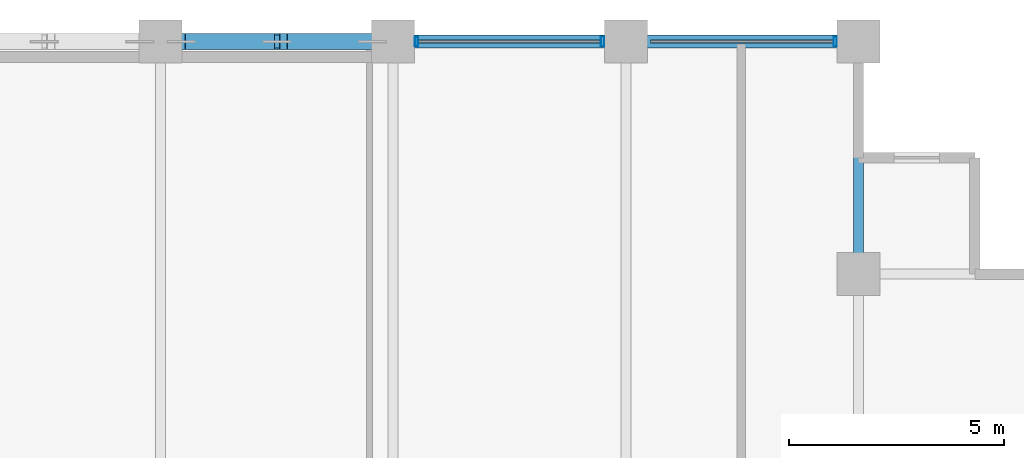
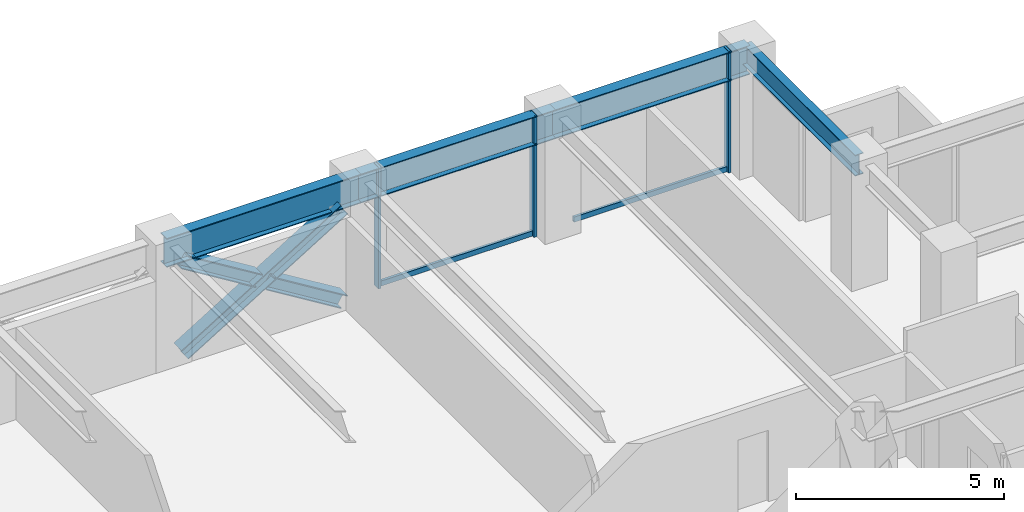
# One storey, part 16 of 23: 8 members, 4 beams, 1 element without a shape of its own.
"""IFC4 building model written with IfcOpenShell, lengths in metres."""

from ifc_helpers import new_model, si_unit, direction, frame, origin, origin_2d, place, context, subcontext, project, spatial, hollow_rectangle, i_section, extrude, material, layer, layer_set, material_profile, profile_set, type_object, element, aggregate, save


model = new_model("IFC4")

# Units and contexts
model_context = context("Model", 3, precision=1e-05, world=origin(), true_north=direction((0.0, 1.0)))
body_context = subcontext(model_context, "Body", "Model", "MODEL_VIEW")
ifc_project = project(units=[si_unit("LENGTHUNIT", "METRE"), si_unit("AREAUNIT", "SQUARE_METRE"), si_unit("VOLUMEUNIT", "CUBIC_METRE"), si_unit("PLANEANGLEUNIT", "RADIAN"), si_unit("MASSUNIT", "GRAM", prefix="KILO")], contexts=[model_context])

# Site, building, storey
site_placement = place(None, origin())
site = spatial("IfcSite", under=ifc_project, at=site_placement, CompositionType="ELEMENT")
building_placement = place(site_placement, origin())
building = spatial("IfcBuilding", under=site, at=building_placement, Name="Surkhivell Harbour Commons", CompositionType="ELEMENT")
storey_placement = place(building_placement, frame((0.0, 0.0, 132.0)))
storey = spatial("IfcBuildingStorey", under=building, at=storey_placement, Name="L34", CompositionType="ELEMENT", Elevation=132.0)

# Beams
ifc_material_1 = material(Name="Steel S355", Category="steel")
ifc_material_profile_1 = material_profile(ifc_material_1, i_section(OverallWidth=0.22998046875, OverallDepth=0.616943359375, WebThickness=0.01318359375, FlangeThickness=0.022216796875, at=origin_2d()), Name="UB610x229x140")
ifc_profile_set_1 = profile_set([ifc_material_profile_1], Name="Steel S355")
beam_type_1 = type_object("IfcBeamType", Name="BM-GRD-610B", PredefinedType="BEAM", material=ifc_profile_set_1)
beam_1_placement = place(storey_placement, frame((16.199951171875, 20.5, 3.261474609375), z_axis=(0.0, 1.0, 0.0), x_axis=(-1.0, 0.0, 0.0)))
element("IfcBeam", 1, at=beam_1_placement, inside=storey, type_object=beam_type_1, Name="L34 Floor Girder (16.2,20.5)", PredefinedType="BEAM", context=body_context, shape_type="SweptSolid", body=[
    extrude(i_section(OverallWidth=0.22998046875, OverallDepth=0.616943359375, WebThickness=0.01318359375, FlangeThickness=0.022216796875, at=origin_2d()), origin(), (0.0, 0.0, 1.0), 5.39990234375),
])
ifc_material_2 = material(Name="Steel S460", Category="steel")
ifc_material_profile_2 = material_profile(ifc_material_2, i_section(OverallWidth=0.2939453125, OverallDepth=0.85107421875, WebThickness=0.01611328125, FlangeThickness=0.02685546875, at=origin_2d()), Name="UB838x292x226")
ifc_profile_set_2 = profile_set([ifc_material_profile_2], Name="Steel S460")
beam_type_2 = type_object("IfcBeamType", Name="BM-SPN-838", PredefinedType="SPANDREL", material=ifc_profile_set_2)
beam_2_placement = place(storey_placement, frame((0.0, 25.89990234375, 3.14453125), z_axis=(1.0, 0.0, 0.0), x_axis=(0.0, 1.0, 0.0)))
element("IfcBeam", 2, at=beam_2_placement, inside=storey, type_object=beam_type_2, Name="L34 Tube Spandrel (-0.0,25.9)", PredefinedType="SPANDREL", context=body_context, shape_type="SweptSolid", body=[
    extrude(i_section(OverallWidth=0.2939453125, OverallDepth=0.85107421875, WebThickness=0.01611328125, FlangeThickness=0.02685546875, at=origin_2d()), origin(), (0.0, 0.0, 1.0), 5.39990234375),
])
beam_3_placement = place(storey_placement, frame((5.39990234375, 25.89990234375, 3.14453125), z_axis=(1.0, 0.0, 0.0), x_axis=(0.0, 1.0, 0.0)))
element("IfcBeam", 3, at=beam_3_placement, inside=storey, type_object=beam_type_2, Name="L34 Tube Spandrel (5.4,25.9)", PredefinedType="SPANDREL", context=body_context, shape_type="SweptSolid", body=[
    extrude(i_section(OverallWidth=0.2939453125, OverallDepth=0.85107421875, WebThickness=0.01611328125, FlangeThickness=0.02685546875, at=origin_2d()), origin(), (0.0, 0.0, 1.0), 5.400146484375),
])
beam_4_placement = place(storey_placement, frame((10.800048828125, 25.89990234375, 3.14453125), z_axis=(1.0, 0.0, 0.0), x_axis=(0.0, 1.0, 0.0)))
element("IfcBeam", 4, at=beam_4_placement, inside=storey, type_object=beam_type_2, Name="L34 Tube Spandrel (10.8,25.9)", PredefinedType="SPANDREL", context=body_context, shape_type="SweptSolid", body=[
    extrude(i_section(OverallWidth=0.2939453125, OverallDepth=0.85107421875, WebThickness=0.01611328125, FlangeThickness=0.02685546875, at=origin_2d()), origin(), (0.0, 0.0, 1.0), 5.39990234375),
])

# Curtain wall, members
ifc_material_3 = material(Name="Anodised pale-metal aluminium and insulated glazing", Category="aluminium")
ifc_layer = layer(ifc_material_3, 0.205078125)
ifc_layer_set = layer_set([ifc_layer], Name="Anodised pale-metal aluminium and insulated glazing")
curtain_wall_type = type_object("IfcCurtainWallType", Name="CW-SYS-Z2", PredefinedType="NOTDEFINED", material=ifc_layer_set)
curtain_wall_placement = place(storey_placement, origin())
curtain_wall = element("IfcCurtainWall", 5, at=curtain_wall_placement, inside=storey, type_object=curtain_wall_type, Name="L34 Curtain Wall CW-L34-E07S1", PredefinedType="NOTDEFINED")
ifc_material_4 = material(Name="Anodised pale-metal aluminium alloy 6063-T6", Category="aluminium")
ifc_material_profile_3 = material_profile(ifc_material_4, hollow_rectangle(XDim=0.074951171875, YDim=0.219970703125, WallThickness=0.00390625, at=origin_2d()), Name="ALU-MULL-75x220")
ifc_profile_set_3 = profile_set([ifc_material_profile_3], Name="Anodised pale-metal aluminium alloy 6063-T6")
member_type_1 = type_object("IfcMemberType", Name="CWM-220", PredefinedType="MULLION", material=ifc_profile_set_3)
member_1_placement = place(storey_placement, frame((15.660400390625, 25.89990234375, 0.0), z_axis=(0.0, 0.0, 1.0), x_axis=(-1.0, 0.0, 0.0)))
member_1 = element("IfcMember", 6, at=member_1_placement, type_object=member_type_1, Name="CW-Z2 mullion 1", PredefinedType="MULLION", context=body_context, shape_type="SweptSolid", body=[
    extrude(hollow_rectangle(XDim=0.074951171875, YDim=0.219970703125, WallThickness=0.00390625, at=origin_2d()), origin(), (0.0, 0.0, 1.0), 3.570068359375),
])
member_2_placement = place(storey_placement, frame((10.260498046875, 25.89990234375, 0.0), z_axis=(0.0, 0.0, 1.0), x_axis=(-1.0, 0.0, 0.0)))
member_2 = element("IfcMember", 7, at=member_2_placement, type_object=member_type_1, Name="CW-Z2 mullion 2", PredefinedType="MULLION", context=body_context, shape_type="SweptSolid", body=[
    extrude(hollow_rectangle(XDim=0.074951171875, YDim=0.219970703125, WallThickness=0.00390625, at=origin_2d()), origin(), (0.0, 0.0, 1.0), 3.570068359375),
])
member_3_placement = place(storey_placement, frame((5.939453125, 25.89990234375, 0.0), z_axis=(0.0, 0.0, 1.0), x_axis=(-1.0, 0.0, 0.0)))
member_3 = element("IfcMember", 8, at=member_3_placement, type_object=member_type_1, Name="CW-Z2 mullion 3", PredefinedType="MULLION", context=body_context, shape_type="SweptSolid", body=[
    extrude(hollow_rectangle(XDim=0.074951171875, YDim=0.219970703125, WallThickness=0.00390625, at=origin_2d()), origin(), (0.0, 0.0, 1.0), 3.570068359375),
])
ifc_material_profile_4 = material_profile(ifc_material_4, hollow_rectangle(XDim=0.074951171875, YDim=0.14990234375, WallThickness=0.00341796875, at=origin_2d()), Name="ALU-TRAN-75x150")
ifc_profile_set_4 = profile_set([ifc_material_profile_4], Name="Anodised pale-metal aluminium alloy 6063-T6")
member_type_2 = type_object("IfcMemberType", Name="CWT-150", PredefinedType="USERDEFINED", material=ifc_profile_set_4)
member_4_placement = place(storey_placement, frame((15.623046875, 25.89990234375, 0.074951171875), z_axis=(-1.0, 0.0, 0.0), x_axis=(0.0, -1.0, 0.0)))
member_4 = element("IfcMember", 9, at=member_4_placement, type_object=member_type_2, Name="CW-Z2 transom 1.1", ObjectType="TRANSOM", PredefinedType="USERDEFINED", context=body_context, shape_type="SweptSolid", body=[
    extrude(hollow_rectangle(XDim=0.074951171875, YDim=0.14990234375, WallThickness=0.00341796875, at=origin_2d()), origin(), (0.0, 0.0, 1.0), 4.24609375),
])
member_5_placement = place(storey_placement, frame((10.222900390625, 25.89990234375, 0.074951171875), z_axis=(-1.0, 0.0, 0.0), x_axis=(0.0, -1.0, 0.0)))
member_5 = element("IfcMember", 10, at=member_5_placement, type_object=member_type_2, Name="CW-Z2 transom 2.1", ObjectType="TRANSOM", PredefinedType="USERDEFINED", context=body_context, shape_type="SweptSolid", body=[
    extrude(hollow_rectangle(XDim=0.074951171875, YDim=0.14990234375, WallThickness=0.00341796875, at=origin_2d()), origin(), (0.0, 0.0, 1.0), 4.245849609375),
])
aggregate(curtain_wall, [member_1, member_4, member_2, member_3, member_5])

# Members
ifc_material_profile_5 = material_profile(ifc_material_2, i_section(OverallWidth=0.375, OverallDepth=0.375, WebThickness=0.0166015625, FlangeThickness=0.027099609375, at=origin_2d()), Name="UC356x368x202")
ifc_profile_set_5 = profile_set([ifc_material_profile_5], Name="Steel S460")
member_type_3 = type_object("IfcMemberType", Name="MEM-BRC-UC356", PredefinedType="BRACE", material=ifc_profile_set_5)
member_6_placement = place(storey_placement, frame((0.485107421875, 25.89990234375, 0.008056640625), z_axis=(0.852624888477, 0.0, 0.522523491864), x_axis=(0.0, 1.0, 0.0)))
element("IfcMember", 11, at=member_6_placement, inside=storey, type_object=member_type_3, Name="L34 Perimeter Mega-Brace MB- 04", PredefinedType="BRACE", context=body_context, shape_type="SweptSolid", body=[
    extrude(i_section(OverallWidth=0.375, OverallDepth=0.375, WebThickness=0.0166015625, FlangeThickness=0.027099609375, at=origin_2d()), origin(), (0.0, 0.0, 1.0), 5.195556640625),
])
member_7_placement = place(storey_placement, frame((4.9150390625, 25.89990234375, 0.008056640625), z_axis=(-0.852617215241, 0.0, 0.52253601242), x_axis=(0.0, -1.0, 0.0)))
element("IfcMember", 12, at=member_7_placement, inside=storey, type_object=member_type_3, Name="L34 Perimeter Mega-Brace MB- 05", PredefinedType="BRACE", context=body_context, shape_type="SweptSolid", body=[
    extrude(i_section(OverallWidth=0.375, OverallDepth=0.375, WebThickness=0.0166015625, FlangeThickness=0.027099609375, at=origin_2d()), origin(), (0.0, 0.0, 1.0), 2.41796875),
])
member_8_placement = place(storey_placement, frame((2.54638671875, 25.89990234375, 1.459716796875), z_axis=(-0.852634632964, 0.0, 0.522507591017), x_axis=(0.0, -1.0, 0.0)))
element("IfcMember", 13, at=member_8_placement, inside=storey, type_object=member_type_3, Name="L34 Perimeter Mega-Brace MB- 06", PredefinedType="BRACE", context=body_context, shape_type="SweptSolid", body=[
    extrude(i_section(OverallWidth=0.375, OverallDepth=0.375, WebThickness=0.0166015625, FlangeThickness=0.027099609375, at=origin_2d()), origin(), (0.0, 0.0, 1.0), 2.41748046875),
])

save(model, "model.ifc")
